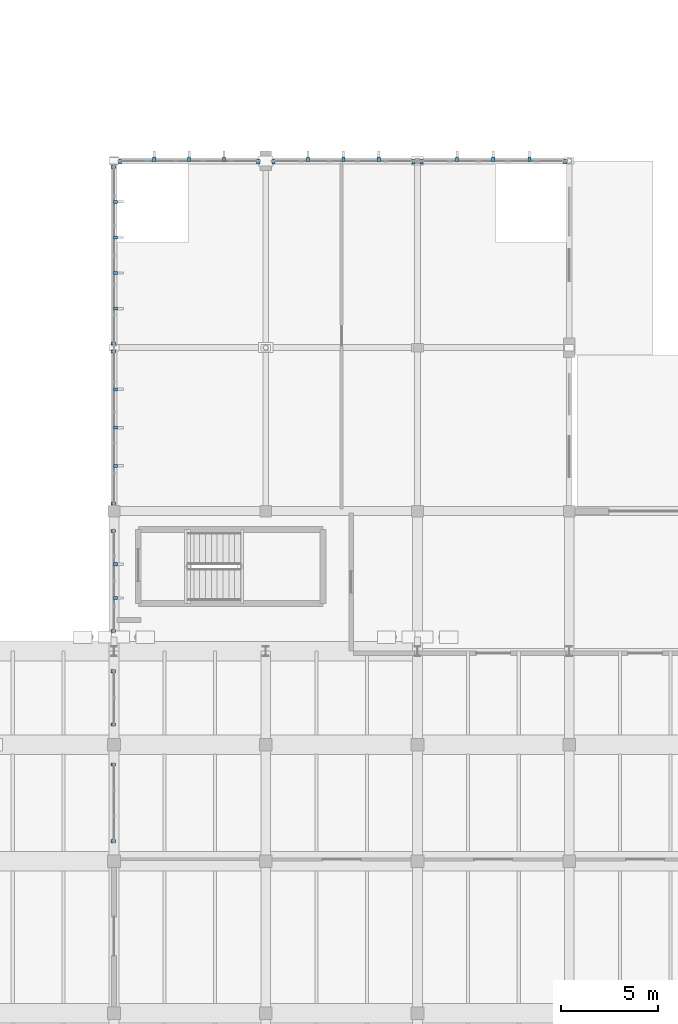
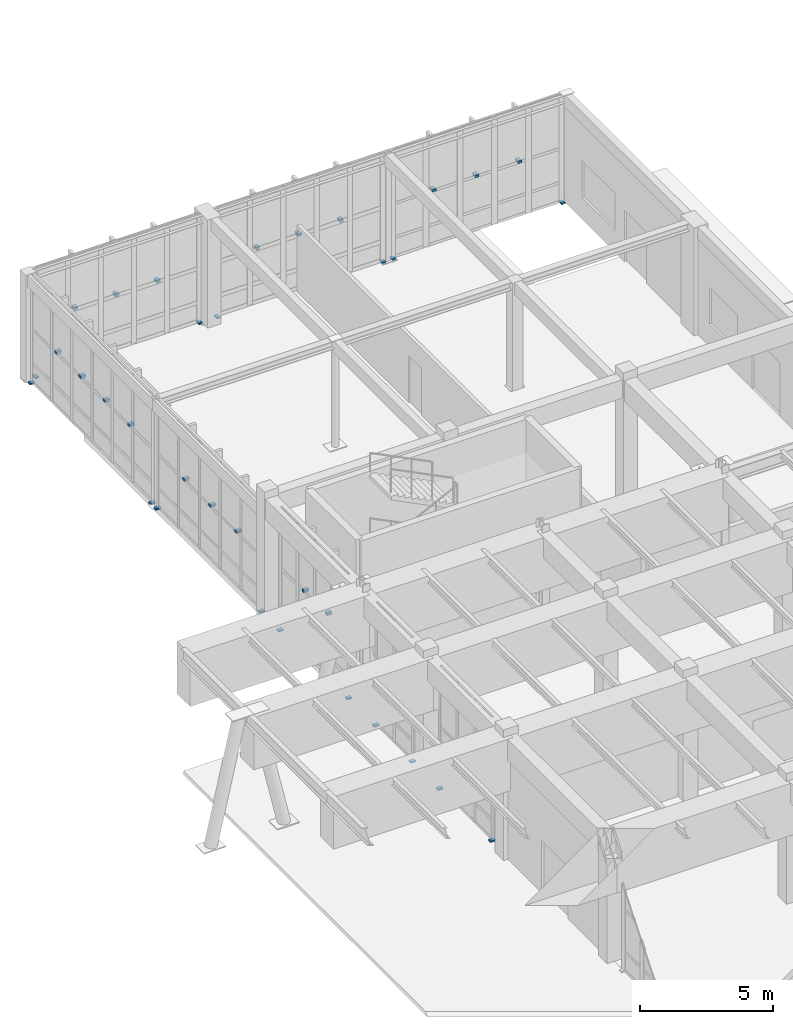
# One storey, part 90 of 110: 34 discrete accessories.
"""IFC4 building model written with IfcOpenShell, lengths in metres."""

from ifc_helpers import new_model, si_unit, direction, frame, origin, origin_2d, place, context, subcontext, project, spatial, rectangle, extrude, material, type_object, element, save


model = new_model("IFC4")

# Units and contexts
model_context = context("Model", 3, precision=1e-05, world=origin(), true_north=direction((0.0, 1.0)))
body_context = subcontext(model_context, "Body", "Model", "MODEL_VIEW")
ifc_project = project(units=[si_unit("LENGTHUNIT", "METRE"), si_unit("AREAUNIT", "SQUARE_METRE"), si_unit("VOLUMEUNIT", "CUBIC_METRE"), si_unit("PLANEANGLEUNIT", "RADIAN"), si_unit("MASSUNIT", "GRAM", prefix="KILO")], contexts=[model_context])

# Site, building, storey
site_placement = place(None, origin())
site = spatial("IfcSite", under=ifc_project, at=site_placement, CompositionType="ELEMENT")
building_placement = place(site_placement, origin())
building = spatial("IfcBuilding", under=site, at=building_placement, Name="Tizgana Railside Sports Hall", CompositionType="ELEMENT")
storey_placement = place(building_placement, origin())
storey = spatial("IfcBuildingStorey", under=building, at=storey_placement, Name="L00", CompositionType="ELEMENT", Elevation=0.0)

# Discrete accessories
ifc_material = material(Name="Steel S355J2", Category="steel")
discrete_accessory_type = type_object("IfcDiscreteAccessoryType", Name="Stainless Facade Support Bracket", PredefinedType="BRACKET", material=ifc_material)
for number, where, z_axis, x_axis, name in (
    (1, (7.760009765625, 67.3701171875, -0.010009765625), (0.0, 0.0, 1.0), (0.0, -1.0, 0.0), "L00 Curtain Wall Base Bracket"),
    (2, (7.760009765625, 63.429931640625, -0.010009765625), (0.0, 0.0, 1.0), (0.0, -1.0, 0.0), "L00 Curtain Wall Base Bracket"),
    (3, (7.760009765625, 72.169921875, -0.010009765625), (0.0, 0.0, 1.0), (0.0, -1.0, 0.0), "L00 Curtain Wall Base Bracket"),
    (4, (7.760009765625, 69.429931640625, -0.010009765625), (0.0, 0.0, 1.0), (0.0, -1.0, 0.0), "L00 Curtain Wall Base Bracket"),
    (5, (7.760009765625, 79.3701171875, -0.010009765625), (0.0, 0.0, 1.0), (0.0, -1.0, 0.0), "L00 Curtain Wall Base Bracket"),
    (6, (7.760009765625, 74.22998046875, -0.010009765625), (0.0, 0.0, 1.0), (0.0, -1.0, 0.0), "L00 Curtain Wall Base Bracket"),
):
    element("IfcDiscreteAccessory", number, at=place(storey_placement, frame(where, z_axis=z_axis, x_axis=x_axis)), inside=storey, type_object=discrete_accessory_type, Name=name, PredefinedType="BRACKET", context=body_context, shape_type="SweptSolid", body=[
        extrude(rectangle(XDim=0.159912109375, YDim=0.219970703125, at=origin_2d()), origin(), (0.0, 0.0, 1.0), 0.06494140625),
    ])
for number, where, z_axis, x_axis, name in (
    (7, (7.8798828125, 77.666748046875, 2.787353515625), (0.0, 0.0, 1.0), (0.0, -1.0, 0.0), "L00 Fin Bracket"),
    (8, (7.8798828125, 75.933349609375, 2.787353515625), (0.0, 0.0, 1.0), (0.0, -1.0, 0.0), "L00 Fin Bracket"),
):
    element("IfcDiscreteAccessory", number, at=place(storey_placement, frame(where, z_axis=z_axis, x_axis=x_axis)), inside=storey, type_object=discrete_accessory_type, Name=name, PredefinedType="BRACKET", context=body_context, shape_type="SweptSolid", body=[
        extrude(rectangle(XDim=0.159912109375, YDim=0.219970703125, at=origin_2d()), origin(), (0.0, 0.0, 1.0), 0.1201171875),
    ])
for number, where, z_axis, x_axis, name in (
    (9, (8.112548828125, 98.360107421875, -0.010009765625), (0.0, 0.0, 1.0), (1.0, 0.0, 0.0), "L00 Curtain Wall Base Bracket"),
    (10, (15.21240234375, 98.360107421875, -0.010009765625), (0.0, 0.0, 1.0), (1.0, 0.0, 0.0), "L00 Curtain Wall Base Bracket"),
):
    element("IfcDiscreteAccessory", number, at=place(storey_placement, frame(where, z_axis=z_axis, x_axis=x_axis)), inside=storey, type_object=discrete_accessory_type, Name=name, PredefinedType="BRACKET", context=body_context, shape_type="SweptSolid", body=[
        extrude(rectangle(XDim=0.159912109375, YDim=0.219970703125, at=origin_2d()), origin(), (0.0, 0.0, 1.0), 0.06494140625),
    ])
for number, where, z_axis, x_axis, name in (
    (11, (9.87109375, 98.47998046875, 2.4423828125), (0.0, 0.0, 1.0), (1.0, 0.0, 0.0), "L00 Fin Bracket"),
    (12, (11.66259765625, 98.47998046875, 2.4423828125), (0.0, 0.0, 1.0), (1.0, 0.0, 0.0), "L00 Fin Bracket"),
    (13, (13.45361328125, 98.47998046875, 2.4423828125), (0.0, 0.0, 1.0), (1.0, 0.0, 0.0), "L00 Fin Bracket"),
):
    element("IfcDiscreteAccessory", number, at=place(storey_placement, frame(where, z_axis=z_axis, x_axis=x_axis)), inside=storey, type_object=discrete_accessory_type, Name=name, PredefinedType="BRACKET", context=body_context, shape_type="SweptSolid", body=[
        extrude(rectangle(XDim=0.159912109375, YDim=0.219970703125, at=origin_2d()), origin(), (0.0, 0.0, 1.0), 0.1201171875),
    ])
for number, where, z_axis, x_axis, name in (
    (14, (15.989990234375, 98.360107421875, -0.010009765625), (0.0, 0.0, 1.0), (1.0, 0.0, 0.0), "L00 Curtain Wall Base Bracket"),
    (15, (23.18994140625, 98.360107421875, -0.010009765625), (0.0, 0.0, 1.0), (1.0, 0.0, 0.0), "L00 Curtain Wall Base Bracket"),
):
    element("IfcDiscreteAccessory", number, at=place(storey_placement, frame(where, z_axis=z_axis, x_axis=x_axis)), inside=storey, type_object=discrete_accessory_type, Name=name, PredefinedType="BRACKET", context=body_context, shape_type="SweptSolid", body=[
        extrude(rectangle(XDim=0.159912109375, YDim=0.219970703125, at=origin_2d()), origin(), (0.0, 0.0, 1.0), 0.06494140625),
    ])
for number, where, z_axis, x_axis, name in (
    (16, (17.7724609375, 98.47998046875, 2.4423828125), (0.0, 0.0, 1.0), (1.0, 0.0, 0.0), "L00 Fin Bracket"),
    (17, (19.590087890625, 98.47998046875, 2.4423828125), (0.0, 0.0, 1.0), (1.0, 0.0, 0.0), "L00 Fin Bracket"),
    (18, (21.407470703125, 98.47998046875, 2.4423828125), (0.0, 0.0, 1.0), (1.0, 0.0, 0.0), "L00 Fin Bracket"),
):
    element("IfcDiscreteAccessory", number, at=place(storey_placement, frame(where, z_axis=z_axis, x_axis=x_axis)), inside=storey, type_object=discrete_accessory_type, Name=name, PredefinedType="BRACKET", context=body_context, shape_type="SweptSolid", body=[
        extrude(rectangle(XDim=0.159912109375, YDim=0.219970703125, at=origin_2d()), origin(), (0.0, 0.0, 1.0), 0.1201171875),
    ])
for number, where, z_axis, x_axis, name in (
    (19, (23.612548828125, 98.360107421875, -0.010009765625), (0.0, 0.0, 1.0), (1.0, 0.0, 0.0), "L00 Curtain Wall Base Bracket"),
    (20, (30.970947265625, 98.360107421875, -0.010009765625), (0.0, 0.0, 1.0), (1.0, 0.0, 0.0), "L00 Curtain Wall Base Bracket"),
):
    element("IfcDiscreteAccessory", number, at=place(storey_placement, frame(where, z_axis=z_axis, x_axis=x_axis)), inside=storey, type_object=discrete_accessory_type, Name=name, PredefinedType="BRACKET", context=body_context, shape_type="SweptSolid", body=[
        extrude(rectangle(XDim=0.159912109375, YDim=0.219970703125, at=origin_2d()), origin(), (0.0, 0.0, 1.0), 0.06494140625),
    ])
for number, where, z_axis, x_axis, name in (
    (21, (25.433349609375, 98.47998046875, 2.4423828125), (0.0, 0.0, 1.0), (1.0, 0.0, 0.0), "L00 Fin Bracket"),
    (22, (27.291748046875, 98.47998046875, 2.4423828125), (0.0, 0.0, 1.0), (1.0, 0.0, 0.0), "L00 Fin Bracket"),
    (23, (29.150146484375, 98.47998046875, 2.4423828125), (0.0, 0.0, 1.0), (1.0, 0.0, 0.0), "L00 Fin Bracket"),
):
    element("IfcDiscreteAccessory", number, at=place(storey_placement, frame(where, z_axis=z_axis, x_axis=x_axis)), inside=storey, type_object=discrete_accessory_type, Name=name, PredefinedType="BRACKET", context=body_context, shape_type="SweptSolid", body=[
        extrude(rectangle(XDim=0.159912109375, YDim=0.219970703125, at=origin_2d()), origin(), (0.0, 0.0, 1.0), 0.1201171875),
    ])
for number, where, z_axis, x_axis, name in (
    (24, (7.760009765625, 88.594970703125, -0.010009765625), (0.0, 0.0, 1.0), (0.0, -1.0, 0.0), "L00 Curtain Wall Base Bracket"),
    (25, (7.760009765625, 80.784912109375, -0.010009765625), (0.0, 0.0, 1.0), (0.0, -1.0, 0.0), "L00 Curtain Wall Base Bracket"),
):
    element("IfcDiscreteAccessory", number, at=place(storey_placement, frame(where, z_axis=z_axis, x_axis=x_axis)), inside=storey, type_object=discrete_accessory_type, Name=name, PredefinedType="BRACKET", context=body_context, shape_type="SweptSolid", body=[
        extrude(rectangle(XDim=0.159912109375, YDim=0.219970703125, at=origin_2d()), origin(), (0.0, 0.0, 1.0), 0.06494140625),
    ])
for number, where, z_axis, x_axis, name in (
    (26, (7.8798828125, 86.657470703125, 2.4423828125), (0.0, 0.0, 1.0), (0.0, -1.0, 0.0), "L00 Fin Bracket"),
    (27, (7.8798828125, 84.68994140625, 2.4423828125), (0.0, 0.0, 1.0), (0.0, -1.0, 0.0), "L00 Fin Bracket"),
    (28, (7.8798828125, 82.722412109375, 2.4423828125), (0.0, 0.0, 1.0), (0.0, -1.0, 0.0), "L00 Fin Bracket"),
):
    element("IfcDiscreteAccessory", number, at=place(storey_placement, frame(where, z_axis=z_axis, x_axis=x_axis)), inside=storey, type_object=discrete_accessory_type, Name=name, PredefinedType="BRACKET", context=body_context, shape_type="SweptSolid", body=[
        extrude(rectangle(XDim=0.159912109375, YDim=0.219970703125, at=origin_2d()), origin(), (0.0, 0.0, 1.0), 0.1201171875),
    ])
for number, where, z_axis, x_axis, name in (
    (29, (7.760009765625, 98.090087890625, -0.010009765625), (0.0, 0.0, 1.0), (0.0, -1.0, 0.0), "L00 Curtain Wall Base Bracket"),
    (30, (7.760009765625, 89.0048828125, -0.010009765625), (0.0, 0.0, 1.0), (0.0, -1.0, 0.0), "L00 Curtain Wall Base Bracket"),
):
    element("IfcDiscreteAccessory", number, at=place(storey_placement, frame(where, z_axis=z_axis, x_axis=x_axis)), inside=storey, type_object=discrete_accessory_type, Name=name, PredefinedType="BRACKET", context=body_context, shape_type="SweptSolid", body=[
        extrude(rectangle(XDim=0.159912109375, YDim=0.219970703125, at=origin_2d()), origin(), (0.0, 0.0, 1.0), 0.06494140625),
    ])
for number, where, z_axis, x_axis, name in (
    (31, (7.8798828125, 96.291015625, 2.4423828125), (0.0, 0.0, 1.0), (0.0, -1.0, 0.0), "L00 Fin Bracket"),
    (32, (7.8798828125, 94.4619140625, 2.4423828125), (0.0, 0.0, 1.0), (0.0, -1.0, 0.0), "L00 Fin Bracket"),
    (33, (7.8798828125, 92.633056640625, 2.4423828125), (0.0, 0.0, 1.0), (0.0, -1.0, 0.0), "L00 Fin Bracket"),
    (34, (7.8798828125, 90.803955078125, 2.4423828125), (0.0, 0.0, 1.0), (0.0, -1.0, 0.0), "L00 Fin Bracket"),
):
    element("IfcDiscreteAccessory", number, at=place(storey_placement, frame(where, z_axis=z_axis, x_axis=x_axis)), inside=storey, type_object=discrete_accessory_type, Name=name, PredefinedType="BRACKET", context=body_context, shape_type="SweptSolid", body=[
        extrude(rectangle(XDim=0.159912109375, YDim=0.219970703125, at=origin_2d()), origin(), (0.0, 0.0, 1.0), 0.1201171875),
    ])

save(model, "model.ifc")
